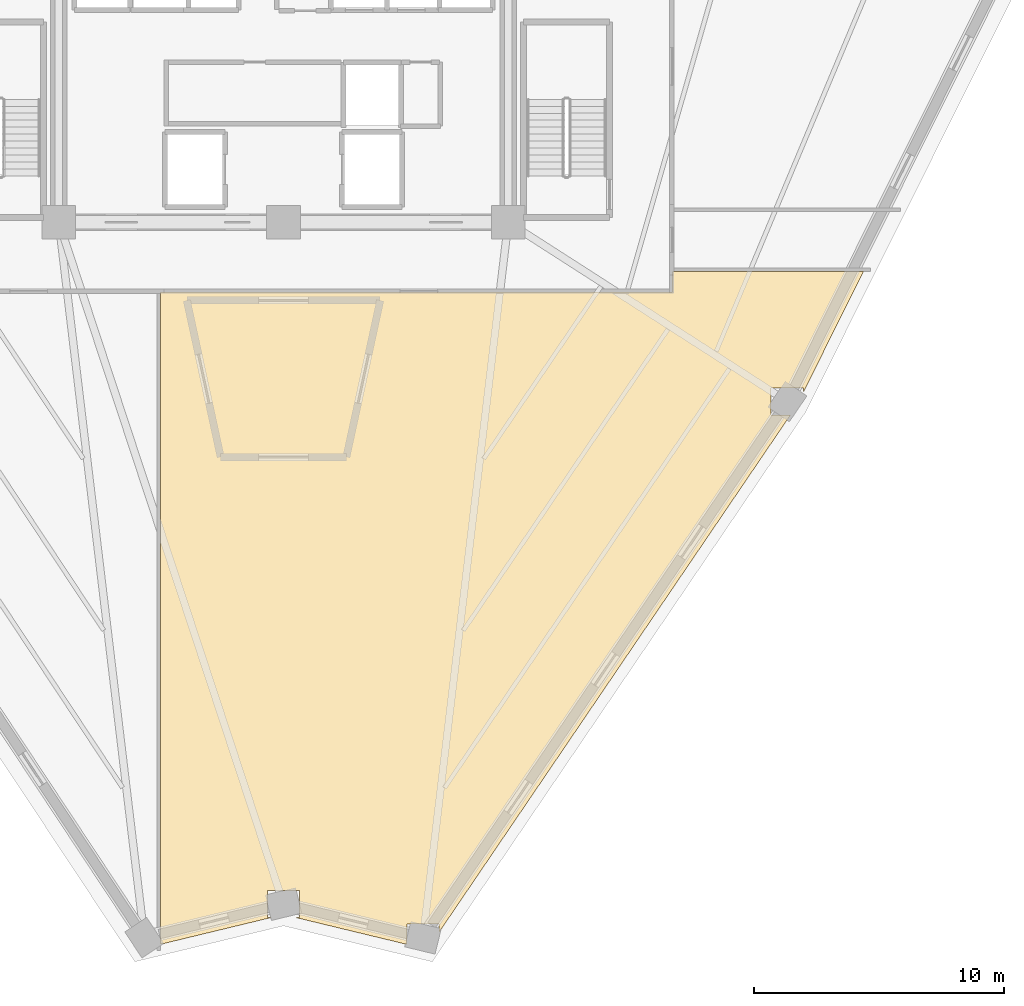
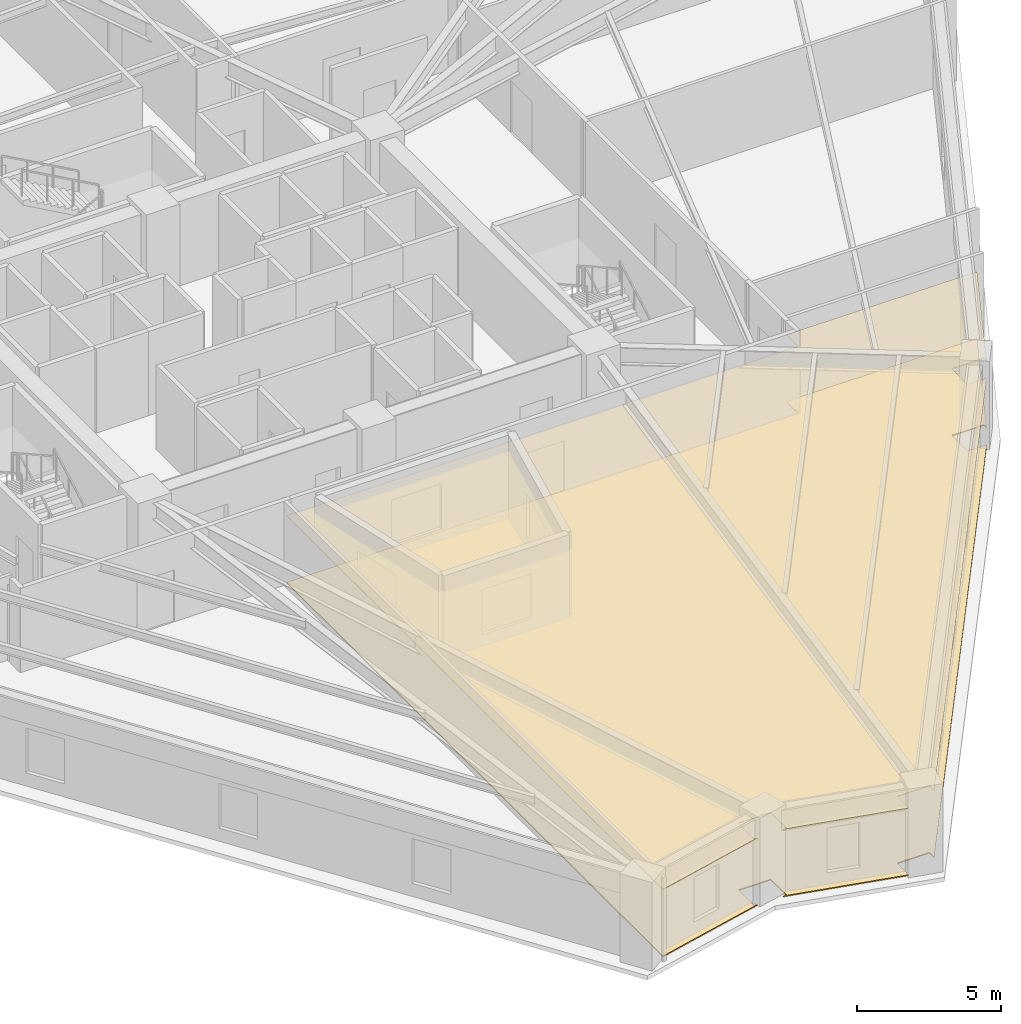
# One storey, part 9 of 10: 2 coverings.
"""IFC4 building model written with IfcOpenShell, lengths in metres."""

from ifc_helpers import new_model, si_unit, direction, frame, origin, place, context, subcontext, project, spatial, polyline, outline, extrude, material, layer, layer_set, type_object, element, save


model = new_model("IFC4")

# Units and contexts
model_context = context("Model", 3, precision=1e-05, world=origin(), true_north=direction((0.0, 1.0)))
body_context = subcontext(model_context, "Body", "Model", "MODEL_VIEW")
ifc_project = project(units=[si_unit("LENGTHUNIT", "METRE"), si_unit("AREAUNIT", "SQUARE_METRE"), si_unit("VOLUMEUNIT", "CUBIC_METRE"), si_unit("PLANEANGLEUNIT", "RADIAN"), si_unit("MASSUNIT", "GRAM", prefix="KILO")], contexts=[model_context])

# Site, building, storey
site_placement = place(None, origin())
site = spatial("IfcSite", under=ifc_project, at=site_placement, CompositionType="ELEMENT")
building_placement = place(site_placement, origin())
building = spatial("IfcBuilding", under=site, at=building_placement, Name="Liaohun Quay Tower", CompositionType="ELEMENT")
storey_placement = place(building_placement, frame((0.0, 0.0, 194.25)))
storey = spatial("IfcBuildingStorey", under=building, at=storey_placement, Name="L50", CompositionType="ELEMENT", Elevation=194.25)

# Coverings
ifc_material_1 = material(Name="Mineral-fibre acoustic ceiling tile")
ifc_layer_1 = layer(ifc_material_1, 0.02490234375, Name="Mineral-fibre acoustic ceiling tile")
ifc_layer_set_1 = layer_set([ifc_layer_1], Name="Mineral-fibre acoustic ceiling tile")
covering_type_1 = type_object("IfcCoveringType", Name="COV-CEIL-ACT", PredefinedType="CEILING", material=ifc_layer_set_1)
covering_1_placement = place(storey_placement, frame((0.0, 0.0, 2.85009765625)))
element("IfcCovering", 1, at=covering_1_placement, inside=storey, type_object=covering_type_1, Name="L50 Open-Plan Office Workplace 10 Acoustic Ceiling", PredefinedType="CEILING", context=body_context, shape_type="SweptSolid", body=[
    extrude(outline(polyline([(75.580078125, 43.719970703125), (55.074951171875, 43.719970703125), (55.074951171875, 17.5830078125), (59.488037109375, 18.64892578125), (59.35498046875, 18.64892578125), (59.35498046875, 19.739013671875), (60.64501953125, 19.739013671875), (60.64501953125, 18.64892578125), (60.511962890625, 18.64892578125), (64.93994140625, 17.5791015625), (64.93994140625, 18.389892578125), (66.22998046875, 18.389892578125), (66.22998046875, 18.06591796875), (80.302978515625, 38.780029296875), (79.532958984375, 38.780029296875), (79.532958984375, 39.8701171875), (80.822998046875, 39.8701171875), (80.822998046875, 39.700927734375), (83.22802734375, 44.52490234375), (75.580078125, 44.52490234375), (75.580078125, 43.719970703125)])), origin(), (0.0, 0.0, 1.0), 0.02490234375),
])
ifc_material_2 = material(Name="Calcium-sulphate raised access floor tile")
ifc_layer_2 = layer(ifc_material_2, 0.044921875, Name="Calcium-sulphate raised access floor tile")
ifc_layer_set_2 = layer_set([ifc_layer_2], Name="Calcium-sulphate raised access floor tile")
covering_type_2 = type_object("IfcCoveringType", Name="COV-FLR-RAF", PredefinedType="FLOORING", material=ifc_layer_set_2)
covering_2_placement = place(storey_placement, origin())
element("IfcCovering", 2, at=covering_2_placement, inside=storey, type_object=covering_type_2, Name="L50 Open-Plan Office Workplace 10 Floor Finish", PredefinedType="FLOORING", context=body_context, shape_type="SweptSolid", body=[
    extrude(outline(polyline([(75.580078125, 43.719970703125), (55.074951171875, 43.719970703125), (55.074951171875, 17.5830078125), (59.488037109375, 18.64892578125), (59.35498046875, 18.64892578125), (59.35498046875, 19.739013671875), (60.64501953125, 19.739013671875), (60.64501953125, 18.64892578125), (60.511962890625, 18.64892578125), (64.93994140625, 17.5791015625), (64.93994140625, 18.389892578125), (66.22998046875, 18.389892578125), (66.22998046875, 18.06591796875), (80.302978515625, 38.780029296875), (79.532958984375, 38.780029296875), (79.532958984375, 39.8701171875), (80.822998046875, 39.8701171875), (80.822998046875, 39.700927734375), (83.22802734375, 44.52490234375), (75.580078125, 44.52490234375), (75.580078125, 43.719970703125)])), origin(), (0.0, 0.0, 1.0), 0.044921875),
])

save(model, "model.ifc")
